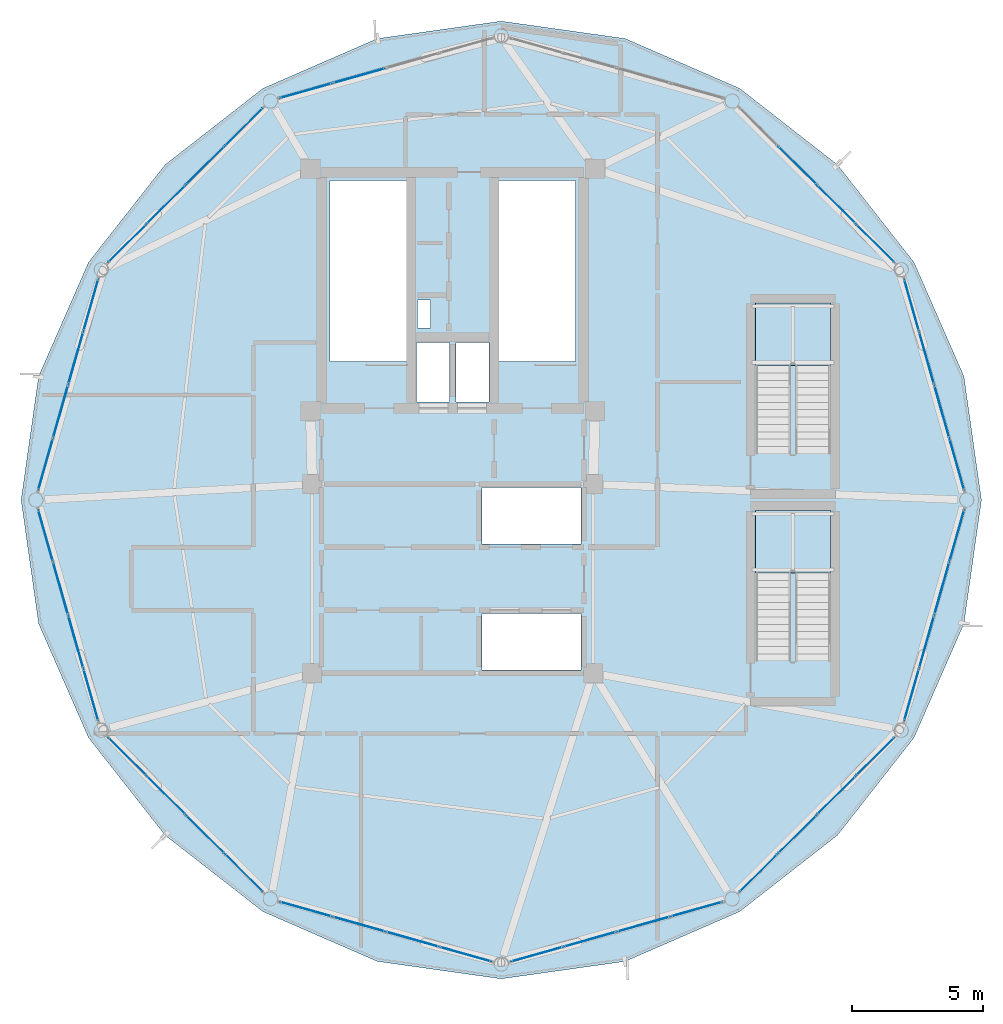
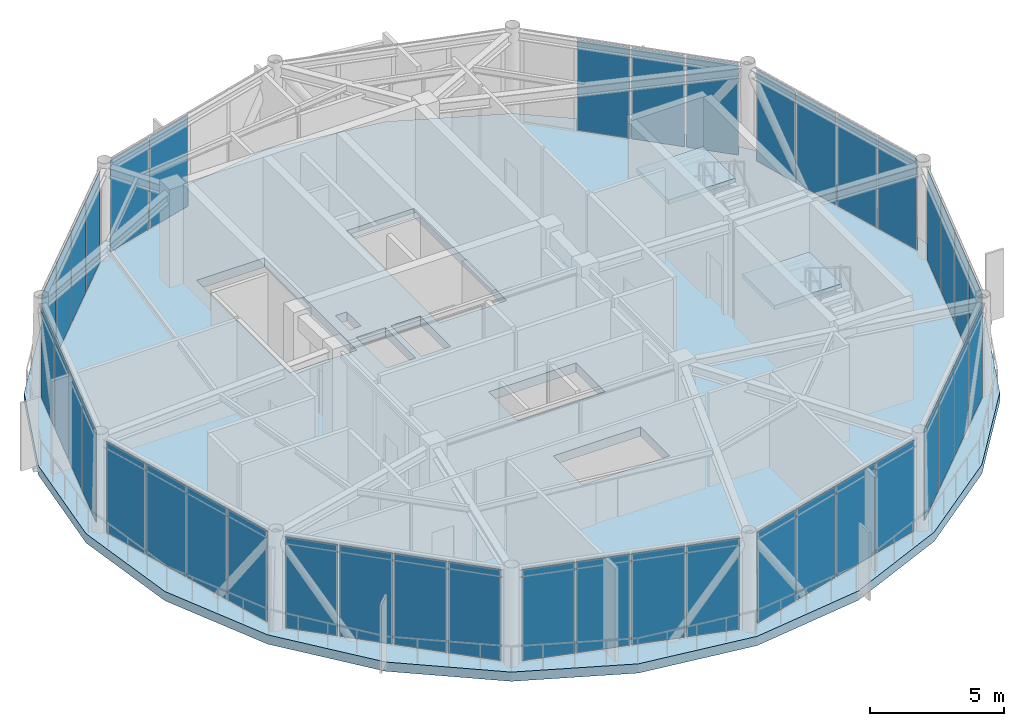
# One storey, part 20 of 26: 41 plates, 3 slabs, 13 elements without a shape of their own.
"""IFC4 building model written with IfcOpenShell, lengths in metres."""

from ifc_helpers import new_model, si_unit, direction, frame, origin, origin_2d, place, context, subcontext, project, spatial, polyline, rectangle, outline, extrude, source, transform, mapped, material, layer, layer_set, type_object, type_shapes, element, aggregate, save


model = new_model("IFC4")

# Units and contexts
model_context = context("Model", 3, precision=1e-05, world=origin(), true_north=direction((0.0, 1.0)))
body_context = subcontext(model_context, "Body", "Model", "MODEL_VIEW")
ifc_project = project(units=[si_unit("LENGTHUNIT", "METRE"), si_unit("AREAUNIT", "SQUARE_METRE"), si_unit("VOLUMEUNIT", "CUBIC_METRE"), si_unit("PLANEANGLEUNIT", "RADIAN"), si_unit("MASSUNIT", "GRAM", prefix="KILO")], contexts=[model_context])

# Site, building, storey
site_placement = place(None, origin())
site = spatial("IfcSite", under=ifc_project, at=site_placement, CompositionType="ELEMENT")
building_placement = place(site_placement, origin())
building = spatial("IfcBuilding", under=site, at=building_placement, Name="Varnakorn Sky Granary", CompositionType="ELEMENT")
storey_placement = place(building_placement, frame((0.0, 0.0, 289.5)))
storey = spatial("IfcBuildingStorey", under=building, at=storey_placement, Name="L74", CompositionType="ELEMENT", Elevation=289.5)

# Stair, slab
ifc_material_1 = material(Name="Concrete C40/50", Category="concrete")
stair_type = type_object("IfcStairType", Name="ST-CRWN-ASSEMBLY", PredefinedType="HALF_TURN_STAIR", material=ifc_material_1)
stair_1_placement = place(storey_placement, origin())
stair_1 = element("IfcStair", 1, at=stair_1_placement, inside=storey, type_object=stair_type, Name="L74 Crown North Exit Stair ST-C1", PredefinedType="HALF_TURN_STAIR")
ifc_layer_1 = layer(ifc_material_1, 0.199951171875, Name="Concrete C40/50")
ifc_layer_set_1 = layer_set([ifc_layer_1], Name="Concrete C40/50")
slab_type_1 = type_object("IfcSlabType", Name="ST-CRWN-LAND", PredefinedType="LANDING", material=ifc_layer_set_1)
slab_1_placement = place(storey_placement, frame((0.0, 0.0, 2.050048828125)))
slab_1 = element("IfcSlab", 2, at=slab_1_placement, type_object=slab_type_1, Name="ST-C1 landing 1", PredefinedType="LANDING", context=body_context, shape_type="SweptSolid", body=[
    extrude(outline(polyline([(17.39990234375, 5.1201171875), (17.39990234375, 7.5), (14.530029296875, 7.5), (14.530029296875, 5.1201171875), (17.39990234375, 5.1201171875)])), origin(), (0.0, 0.0, 1.0), 0.199951171875),
])
aggregate(stair_1, [slab_1])

stair_2_placement = place(storey_placement, origin())
stair_2 = element("IfcStair", 3, at=stair_2_placement, inside=storey, type_object=stair_type, Name="L74 Crown South Exit Stair ST-C2", PredefinedType="HALF_TURN_STAIR")
slab_2_placement = place(storey_placement, frame((0.0, 0.0, 2.050048828125)))
slab_2 = element("IfcSlab", 4, at=slab_2_placement, type_object=slab_type_1, Name="ST-C2 landing 1", PredefinedType="LANDING", context=body_context, shape_type="SweptSolid", body=[
    extrude(outline(polyline([(17.39990234375, -2.780029296875), (17.39990234375, -0.39990234375), (14.530029296875, -0.39990234375), (14.530029296875, -2.780029296875), (17.39990234375, -2.780029296875)])), origin(), (0.0, 0.0, 1.0), 0.199951171875),
])
aggregate(stair_2, [slab_2])

# Slab
ifc_material_2 = material(Name="Concrete C60/75", Category="concrete")
ifc_layer_2 = layer(ifc_material_2, 0.419921875, Name="Concrete C60/75")
ifc_layer_set_2 = layer_set([ifc_layer_2], Name="Concrete C60/75")
slab_type_2 = type_object("IfcSlabType", Name="ST-SL-XFER-420", PredefinedType="FLOOR", material=ifc_layer_set_2)
slab_3_placement = place(storey_placement, frame((0.0, 0.0, -0.419921875)))
element("IfcSlab", 5, at=slab_3_placement, inside=storey, type_object=slab_type_2, Name="Level L74 Structural Floor Slab", PredefinedType="FLOOR", context=body_context, shape_type="SweptSolid", body=[
    extrude(outline(polyline([(23.14990234375, 0.0), (22.48291015625, 4.7119140625), (20.581298828125, 9.0576171875), (17.662841796875, 12.77734375), (13.9326171875, 15.68798828125), (9.57470703125, 17.584716796875), (4.85009765625, 18.25), (0.125244140625, 17.584716796875), (-4.232421875, 15.68798828125), (-7.962890625, 12.77734375), (-10.88134765625, 9.0576171875), (-12.782958984375, 4.7119140625), (-13.449951171875, 0.0), (-12.782958984375, -4.7119140625), (-10.88134765625, -9.0576171875), (-7.962890625, -12.77734375), (-4.232421875, -15.68798828125), (0.125244140625, -17.584716796875), (4.85009765625, -18.25), (9.57470703125, -17.584716796875), (13.9326171875, -15.68798828125), (17.662841796875, -12.77734375), (20.581298828125, -9.0576171875), (22.48291015625, -4.7119140625), (23.14990234375, 0.0)]), holes=[polyline([(1.239990234375, 5.27490234375), (1.239990234375, 12.179931640625), (-1.669921875, 12.179931640625), (-1.669921875, 5.27490234375), (1.239990234375, 5.27490234375)]), polyline([(7.679931640625, 5.27490234375), (7.679931640625, 12.179931640625), (4.77001953125, 12.179931640625), (4.77001953125, 5.27490234375), (7.679931640625, 5.27490234375)]), polyline([(1.659912109375, 6.550048828125), (2.14990234375, 6.550048828125), (2.14990234375, 7.6201171875), (1.659912109375, 7.6201171875), (1.659912109375, 6.550048828125)]), polyline([(1.6201171875, 3.739990234375), (2.8798828125, 3.739990234375), (2.8798828125, 6.010009765625), (1.6201171875, 6.010009765625), (1.6201171875, 3.739990234375)]), polyline([(3.1201171875, 3.739990234375), (4.3798828125, 3.739990234375), (4.3798828125, 6.010009765625), (3.1201171875, 6.010009765625), (3.1201171875, 3.739990234375)]), polyline([(4.1201171875, -1.679931640625), (7.8798828125, -1.679931640625), (7.8798828125, 0.47998046875), (4.1201171875, 0.47998046875), (4.1201171875, -1.679931640625)]), polyline([(4.1201171875, -6.47998046875), (7.8798828125, -6.47998046875), (7.8798828125, -4.320068359375), (4.1201171875, -4.320068359375), (4.1201171875, -6.47998046875)])]), origin(), (0.0, 0.0, 1.0), 0.419921875),
])

# Curtain wall, plates
ifc_material_3 = material(Name="Anodised Bronze Aluminium Alloy 6063-T6", Category="aluminium")
ifc_layer_3 = layer(ifc_material_3, 0.159912109375, Name="Anodised Bronze Aluminium Alloy 6063-T6")
ifc_layer_set_3 = layer_set([ifc_layer_3], Name="Anodised Bronze Aluminium Alloy 6063-T6")
curtain_wall_type = type_object("IfcCurtainWallType", Name="CW-OFF-1", PredefinedType="USERDEFINED", material=ifc_layer_set_3)
curtain_wall_1_placement = place(storey_placement, origin())
curtain_wall_1 = element("IfcCurtainWall", 6, at=curtain_wall_1_placement, inside=storey, type_object=curtain_wall_type, Name="Unitised Curtain Wall CW6 CW-L74-B01", ObjectType="CURTAIN WALL", PredefinedType="USERDEFINED")
ifc_material_4 = material(Name="Opaque Insulated Aluminium Shadow-Box Unit", Category="aluminium")
ifc_layer_4 = layer(ifc_material_4, 0.02392578125, Name="Opaque Insulated Aluminium Shadow-Box Unit")
ifc_layer_set_4 = layer_set([ifc_layer_4], Name="Opaque Insulated Aluminium Shadow-Box Unit")
plate_type = type_object("IfcPlateType", Name="CW-OFF-1-PNL", PredefinedType="CURTAIN_PANEL")
shared_shape_1 = source(origin(), body_context, "Body", "SweptSolid", [
    extrude(rectangle(XDim=2.01513671875, YDim=0.02392578125, at=origin_2d()), origin(), (0.0, 0.0, 1.0), 4.1298828125),
])
plate_1_placement = place(storey_placement, frame((20.490966796875, 7.424072265625, 0.06494140625), z_axis=(0.0, 0.0, 1.0), x_axis=(0.273270495734, -0.961937230884, 0.0)))
plate_1 = element("IfcPlate", 7, at=plate_1_placement, type_object=plate_type, material=ifc_layer_set_4, Name="CW6 opaque insulated shadow-box unit 1.1", PredefinedType="CURTAIN_PANEL", context=body_context, shape_type="MappedRepresentation", body=[
    mapped(shared_shape_1, transform((0.0, 0.0, 0.0), x_axis=(1.0, 0.0, 0.0), y_axis=(0.0, 1.0, 0.0), z_axis=(0.0, 0.0, 1.0), scale=1.0)),
])
ifc_material_5 = material(Name="Low-E Tinted Laminated Glass", Category="glass")
ifc_layer_5 = layer(ifc_material_5, 0.02392578125, Name="Low-E Tinted Laminated Glass")
ifc_layer_set_5 = layer_set([ifc_layer_5], Name="Low-E Tinted Laminated Glass")
plate_2_placement = place(storey_placement, frame((22.214111328125, 1.3583984375, 0.06494140625), z_axis=(0.0, 0.0, 1.0), x_axis=(0.273270495734, -0.961937230884, 0.0)))
plate_2 = element("IfcPlate", 8, at=plate_2_placement, type_object=plate_type, material=ifc_layer_set_5, Name="CW6 vision glazing unit 4.1", PredefinedType="CURTAIN_PANEL", context=body_context, shape_type="MappedRepresentation", body=[
    mapped(shared_shape_1, transform((0.0, 0.0, 0.0), x_axis=(1.0, 0.0, 0.0), y_axis=(0.0, 1.0, 0.0), z_axis=(0.0, 0.0, 1.0), scale=1.0)),
])

curtain_wall_2_placement = place(storey_placement, origin())
curtain_wall_2 = element("IfcCurtainWall", 9, at=curtain_wall_2_placement, inside=storey, type_object=curtain_wall_type, Name="Unitised Curtain Wall CW6 CW-L74-B06", ObjectType="CURTAIN WALL", PredefinedType="USERDEFINED")
plate_3_placement = place(storey_placement, frame((-12.51416015625, 1.3583984375, 0.06494140625), z_axis=(0.0, 0.0, 1.0), x_axis=(0.273270495734, 0.961937230884, 0.0)))
plate_3 = element("IfcPlate", 10, at=plate_3_placement, type_object=plate_type, material=ifc_layer_set_5, Name="CW6 vision glazing unit 1.1", PredefinedType="CURTAIN_PANEL", context=body_context, shape_type="MappedRepresentation", body=[
    mapped(shared_shape_1, transform((0.0, 0.0, 0.0), x_axis=(1.0, 0.0, 0.0), y_axis=(0.0, 1.0, 0.0), z_axis=(0.0, 0.0, 1.0), scale=1.0)),
])
plate_4_placement = place(storey_placement, frame((-10.791015625, 7.424072265625, 0.06494140625), z_axis=(0.0, 0.0, 1.0), x_axis=(0.273270495734, 0.961937230884, 0.0)))
plate_4 = element("IfcPlate", 11, at=plate_4_placement, type_object=plate_type, material=ifc_layer_set_4, Name="CW6 opaque insulated shadow-box unit 4.1", PredefinedType="CURTAIN_PANEL", context=body_context, shape_type="MappedRepresentation", body=[
    mapped(shared_shape_1, transform((0.0, 0.0, 0.0), x_axis=(1.0, 0.0, 0.0), y_axis=(0.0, 1.0, 0.0), z_axis=(0.0, 0.0, 1.0), scale=1.0)),
])

curtain_wall_3_placement = place(storey_placement, origin())
curtain_wall_3 = element("IfcCurtainWall", 12, at=curtain_wall_3_placement, inside=storey, type_object=curtain_wall_type, Name="Unitised Curtain Wall CW6 CW-L74-B07", ObjectType="CURTAIN WALL", PredefinedType="USERDEFINED")
plate_5_placement = place(storey_placement, frame((-10.791015625, -7.424072265625, 0.06494140625), z_axis=(0.0, 0.0, 1.0), x_axis=(-0.273270495734, 0.961937230884, 0.0)))
plate_5 = element("IfcPlate", 13, at=plate_5_placement, type_object=plate_type, material=ifc_layer_set_4, Name="CW6 opaque insulated shadow-box unit 1.1", PredefinedType="CURTAIN_PANEL", context=body_context, shape_type="MappedRepresentation", body=[
    mapped(shared_shape_1, transform((0.0, 0.0, 0.0), x_axis=(1.0, 0.0, 0.0), y_axis=(0.0, 1.0, 0.0), z_axis=(0.0, 0.0, 1.0), scale=1.0)),
])
plate_6_placement = place(storey_placement, frame((-12.51416015625, -1.3583984375, 0.06494140625), z_axis=(0.0, 0.0, 1.0), x_axis=(-0.273270495734, 0.961937230884, 0.0)))
plate_6 = element("IfcPlate", 14, at=plate_6_placement, type_object=plate_type, material=ifc_layer_set_5, Name="CW6 vision glazing unit 4.1", PredefinedType="CURTAIN_PANEL", context=body_context, shape_type="MappedRepresentation", body=[
    mapped(shared_shape_1, transform((0.0, 0.0, 0.0), x_axis=(1.0, 0.0, 0.0), y_axis=(0.0, 1.0, 0.0), z_axis=(0.0, 0.0, 1.0), scale=1.0)),
])

curtain_wall_4_placement = place(storey_placement, origin())
curtain_wall_4 = element("IfcCurtainWall", 15, at=curtain_wall_4_placement, inside=storey, type_object=curtain_wall_type, Name="Unitised Curtain Wall CW6 CW-L74-B12", ObjectType="CURTAIN WALL", PredefinedType="USERDEFINED")
plate_7_placement = place(storey_placement, frame((22.214111328125, -1.3583984375, 0.06494140625), z_axis=(0.0, 0.0, 1.0), x_axis=(-0.273270495734, -0.961937230884, 0.0)))
plate_7 = element("IfcPlate", 16, at=plate_7_placement, type_object=plate_type, material=ifc_layer_set_5, Name="CW6 vision glazing unit 1.1", PredefinedType="CURTAIN_PANEL", context=body_context, shape_type="MappedRepresentation", body=[
    mapped(shared_shape_1, transform((0.0, 0.0, 0.0), x_axis=(1.0, 0.0, 0.0), y_axis=(0.0, 1.0, 0.0), z_axis=(0.0, 0.0, 1.0), scale=1.0)),
])
plate_8_placement = place(storey_placement, frame((20.490966796875, -7.424072265625, 0.06494140625), z_axis=(0.0, 0.0, 1.0), x_axis=(-0.273270495734, -0.961937230884, 0.0)))
plate_8 = element("IfcPlate", 17, at=plate_8_placement, type_object=plate_type, material=ifc_layer_set_4, Name="CW6 opaque insulated shadow-box unit 4.1", PredefinedType="CURTAIN_PANEL", context=body_context, shape_type="MappedRepresentation", body=[
    mapped(shared_shape_1, transform((0.0, 0.0, 0.0), x_axis=(1.0, 0.0, 0.0), y_axis=(0.0, 1.0, 0.0), z_axis=(0.0, 0.0, 1.0), scale=1.0)),
])

# Plate
shared_shape_2 = source(origin(), body_context, "Body", "SweptSolid", [
    extrude(rectangle(XDim=2.0478515625, YDim=0.02392578125, at=origin_2d()), origin(), (0.0, 0.0, 1.0), 4.1298828125),
])
plate_9_placement = place(storey_placement, frame((21.063720703125, 5.407470703125, 0.06494140625), z_axis=(0.0, 0.0, 1.0), x_axis=(0.273270495734, -0.961937230884, 0.0)))
plate_9 = element("IfcPlate", 18, at=plate_9_placement, type_object=plate_type, material=ifc_layer_set_4, Name="CW6 opaque insulated shadow-box unit 2.1", PredefinedType="CURTAIN_PANEL", context=body_context, shape_type="MappedRepresentation", body=[
    mapped(shared_shape_2, transform((0.0, 0.0, 0.0), x_axis=(1.0, 0.0, 0.0), y_axis=(0.0, 1.0, 0.0), z_axis=(0.0, 0.0, 1.0), scale=1.0)),
])

plate_10_placement = place(storey_placement, frame((21.64111328125, 3.375, 0.06494140625), z_axis=(0.0, 0.0, 1.0), x_axis=(0.273270495734, -0.961937230884, 0.0)))
plate_10 = element("IfcPlate", 19, at=plate_10_placement, type_object=plate_type, material=ifc_layer_set_5, Name="CW6 vision glazing unit 3.1", PredefinedType="CURTAIN_PANEL", context=body_context, shape_type="MappedRepresentation", body=[
    mapped(shared_shape_2, transform((0.0, 0.0, 0.0), x_axis=(1.0, 0.0, 0.0), y_axis=(0.0, 1.0, 0.0), z_axis=(0.0, 0.0, 1.0), scale=1.0)),
])

aggregate(curtain_wall_1, [plate_1, plate_9, plate_10, plate_2])

plate_11_placement = place(storey_placement, frame((-11.941162109375, 3.375, 0.06494140625), z_axis=(0.0, 0.0, 1.0), x_axis=(0.273270495734, 0.961937230884, 0.0)))
plate_11 = element("IfcPlate", 20, at=plate_11_placement, type_object=plate_type, material=ifc_layer_set_5, Name="CW6 vision glazing unit 2.1", PredefinedType="CURTAIN_PANEL", context=body_context, shape_type="MappedRepresentation", body=[
    mapped(shared_shape_2, transform((0.0, 0.0, 0.0), x_axis=(1.0, 0.0, 0.0), y_axis=(0.0, 1.0, 0.0), z_axis=(0.0, 0.0, 1.0), scale=1.0)),
])

plate_12_placement = place(storey_placement, frame((-11.36376953125, 5.407470703125, 0.06494140625), z_axis=(0.0, 0.0, 1.0), x_axis=(0.273270495734, 0.961937230884, 0.0)))
plate_12 = element("IfcPlate", 21, at=plate_12_placement, type_object=plate_type, material=ifc_layer_set_4, Name="CW6 opaque insulated shadow-box unit 3.1", PredefinedType="CURTAIN_PANEL", context=body_context, shape_type="MappedRepresentation", body=[
    mapped(shared_shape_2, transform((0.0, 0.0, 0.0), x_axis=(1.0, 0.0, 0.0), y_axis=(0.0, 1.0, 0.0), z_axis=(0.0, 0.0, 1.0), scale=1.0)),
])

aggregate(curtain_wall_2, [plate_3, plate_11, plate_12, plate_4])

plate_13_placement = place(storey_placement, frame((-11.36376953125, -5.407470703125, 0.06494140625), z_axis=(0.0, 0.0, 1.0), x_axis=(-0.273270495734, 0.961937230884, 0.0)))
plate_13 = element("IfcPlate", 22, at=plate_13_placement, type_object=plate_type, material=ifc_layer_set_4, Name="CW6 opaque insulated shadow-box unit 2.1", PredefinedType="CURTAIN_PANEL", context=body_context, shape_type="MappedRepresentation", body=[
    mapped(shared_shape_2, transform((0.0, 0.0, 0.0), x_axis=(1.0, 0.0, 0.0), y_axis=(0.0, 1.0, 0.0), z_axis=(0.0, 0.0, 1.0), scale=1.0)),
])

plate_14_placement = place(storey_placement, frame((-11.941162109375, -3.375, 0.06494140625), z_axis=(0.0, 0.0, 1.0), x_axis=(-0.273270495734, 0.961937230884, 0.0)))
plate_14 = element("IfcPlate", 23, at=plate_14_placement, type_object=plate_type, material=ifc_layer_set_5, Name="CW6 vision glazing unit 3.1", PredefinedType="CURTAIN_PANEL", context=body_context, shape_type="MappedRepresentation", body=[
    mapped(shared_shape_2, transform((0.0, 0.0, 0.0), x_axis=(1.0, 0.0, 0.0), y_axis=(0.0, 1.0, 0.0), z_axis=(0.0, 0.0, 1.0), scale=1.0)),
])

aggregate(curtain_wall_3, [plate_5, plate_13, plate_14, plate_6])

plate_15_placement = place(storey_placement, frame((21.64111328125, -3.375, 0.06494140625), z_axis=(0.0, 0.0, 1.0), x_axis=(-0.273270495734, -0.961937230884, 0.0)))
plate_15 = element("IfcPlate", 24, at=plate_15_placement, type_object=plate_type, material=ifc_layer_set_5, Name="CW6 vision glazing unit 2.1", PredefinedType="CURTAIN_PANEL", context=body_context, shape_type="MappedRepresentation", body=[
    mapped(shared_shape_2, transform((0.0, 0.0, 0.0), x_axis=(1.0, 0.0, 0.0), y_axis=(0.0, 1.0, 0.0), z_axis=(0.0, 0.0, 1.0), scale=1.0)),
])

plate_16_placement = place(storey_placement, frame((21.063720703125, -5.407470703125, 0.06494140625), z_axis=(0.0, 0.0, 1.0), x_axis=(-0.273270495734, -0.961937230884, 0.0)))
plate_16 = element("IfcPlate", 25, at=plate_16_placement, type_object=plate_type, material=ifc_layer_set_4, Name="CW6 opaque insulated shadow-box unit 3.1", PredefinedType="CURTAIN_PANEL", context=body_context, shape_type="MappedRepresentation", body=[
    mapped(shared_shape_2, transform((0.0, 0.0, 0.0), x_axis=(1.0, 0.0, 0.0), y_axis=(0.0, 1.0, 0.0), z_axis=(0.0, 0.0, 1.0), scale=1.0)),
])

aggregate(curtain_wall_4, [plate_7, plate_15, plate_16, plate_8])

# Curtain wall, plate
curtain_wall_5_placement = place(storey_placement, origin())
curtain_wall_5 = element("IfcCurtainWall", 26, at=curtain_wall_5_placement, inside=storey, type_object=curtain_wall_type, Name="Unitised Curtain Wall CW6 CW-L74-B02", ObjectType="CURTAIN WALL", PredefinedType="USERDEFINED")
shared_shape_3 = source(origin(), body_context, "Body", "SweptSolid", [
    extrude(rectangle(XDim=2.009033203125, YDim=0.02392578125, at=origin_2d()), origin(), (0.0, 0.0, 1.0), 4.1298828125),
])
plate_17_placement = place(storey_placement, frame((19.107177734375, 9.77734375, 0.06494140625), z_axis=(0.0, 0.0, 1.0), x_axis=(0.708108889088, -0.706103251086, 0.0)))
plate_17 = element("IfcPlate", 27, at=plate_17_placement, type_object=plate_type, material=ifc_layer_set_4, Name="CW6 opaque insulated shadow-box unit 4.1", PredefinedType="CURTAIN_PANEL", context=body_context, shape_type="MappedRepresentation", body=[
    mapped(shared_shape_3, transform((0.0, 0.0, 0.0), x_axis=(1.0, 0.0, 0.0), y_axis=(0.0, 1.0, 0.0), z_axis=(0.0, 0.0, 1.0), scale=1.0)),
])

# Curtain wall, plates
curtain_wall_6_placement = place(storey_placement, origin())
curtain_wall_6 = element("IfcCurtainWall", 28, at=curtain_wall_6_placement, inside=storey, type_object=curtain_wall_type, Name="Unitised Curtain Wall CW6 CW-L74-B05", ObjectType="CURTAIN WALL", PredefinedType="USERDEFINED")
plate_18_placement = place(storey_placement, frame((-9.4072265625, 9.77734375, 0.06494140625), z_axis=(0.0, 0.0, 1.0), x_axis=(0.708108889088, 0.706103251086, 0.0)))
plate_18 = element("IfcPlate", 29, at=plate_18_placement, type_object=plate_type, material=ifc_layer_set_4, Name="CW6 opaque insulated shadow-box unit 1.1", PredefinedType="CURTAIN_PANEL", context=body_context, shape_type="MappedRepresentation", body=[
    mapped(shared_shape_3, transform((0.0, 0.0, 0.0), x_axis=(1.0, 0.0, 0.0), y_axis=(0.0, 1.0, 0.0), z_axis=(0.0, 0.0, 1.0), scale=1.0)),
])
plate_19_placement = place(storey_placement, frame((-4.955322265625, 14.216796875, 0.06494140625), z_axis=(0.0, 0.0, 1.0), x_axis=(0.708108889088, 0.706103251086, 0.0)))
plate_19 = element("IfcPlate", 30, at=plate_19_placement, type_object=plate_type, material=ifc_layer_set_5, Name="CW6 vision glazing unit 4.1", PredefinedType="CURTAIN_PANEL", context=body_context, shape_type="MappedRepresentation", body=[
    mapped(shared_shape_3, transform((0.0, 0.0, 0.0), x_axis=(1.0, 0.0, 0.0), y_axis=(0.0, 1.0, 0.0), z_axis=(0.0, 0.0, 1.0), scale=1.0)),
])

curtain_wall_7_placement = place(storey_placement, origin())
curtain_wall_7 = element("IfcCurtainWall", 31, at=curtain_wall_7_placement, inside=storey, type_object=curtain_wall_type, Name="Unitised Curtain Wall CW6 CW-L74-B08", ObjectType="CURTAIN WALL", PredefinedType="USERDEFINED")
plate_20_placement = place(storey_placement, frame((-4.955322265625, -14.216796875, 0.06494140625), z_axis=(0.0, 0.0, 1.0), x_axis=(-0.708108889088, 0.706103251086, 0.0)))
plate_20 = element("IfcPlate", 32, at=plate_20_placement, type_object=plate_type, material=ifc_layer_set_5, Name="CW6 vision glazing unit 1.1", PredefinedType="CURTAIN_PANEL", context=body_context, shape_type="MappedRepresentation", body=[
    mapped(shared_shape_3, transform((0.0, 0.0, 0.0), x_axis=(1.0, 0.0, 0.0), y_axis=(0.0, 1.0, 0.0), z_axis=(0.0, 0.0, 1.0), scale=1.0)),
])
plate_21_placement = place(storey_placement, frame((-9.4072265625, -9.77734375, 0.06494140625), z_axis=(0.0, 0.0, 1.0), x_axis=(-0.708108889088, 0.706103251086, 0.0)))
plate_21 = element("IfcPlate", 33, at=plate_21_placement, type_object=plate_type, material=ifc_layer_set_4, Name="CW6 opaque insulated shadow-box unit 4.1", PredefinedType="CURTAIN_PANEL", context=body_context, shape_type="MappedRepresentation", body=[
    mapped(shared_shape_3, transform((0.0, 0.0, 0.0), x_axis=(1.0, 0.0, 0.0), y_axis=(0.0, 1.0, 0.0), z_axis=(0.0, 0.0, 1.0), scale=1.0)),
])

curtain_wall_8_placement = place(storey_placement, origin())
curtain_wall_8 = element("IfcCurtainWall", 34, at=curtain_wall_8_placement, inside=storey, type_object=curtain_wall_type, Name="Unitised Curtain Wall CW6 CW-L74-B11", ObjectType="CURTAIN WALL", PredefinedType="USERDEFINED")
plate_22_placement = place(storey_placement, frame((19.107177734375, -9.77734375, 0.06494140625), z_axis=(0.0, 0.0, 1.0), x_axis=(-0.708108889088, -0.706103251086, 0.0)))
plate_22 = element("IfcPlate", 35, at=plate_22_placement, type_object=plate_type, material=ifc_layer_set_4, Name="CW6 opaque insulated shadow-box unit 1.1", PredefinedType="CURTAIN_PANEL", context=body_context, shape_type="MappedRepresentation", body=[
    mapped(shared_shape_3, transform((0.0, 0.0, 0.0), x_axis=(1.0, 0.0, 0.0), y_axis=(0.0, 1.0, 0.0), z_axis=(0.0, 0.0, 1.0), scale=1.0)),
])
plate_23_placement = place(storey_placement, frame((14.6552734375, -14.216796875, 0.06494140625), z_axis=(0.0, 0.0, 1.0), x_axis=(-0.708108889088, -0.706103251086, 0.0)))
plate_23 = element("IfcPlate", 36, at=plate_23_placement, type_object=plate_type, material=ifc_layer_set_5, Name="CW6 vision glazing unit 4.1", PredefinedType="CURTAIN_PANEL", context=body_context, shape_type="MappedRepresentation", body=[
    mapped(shared_shape_3, transform((0.0, 0.0, 0.0), x_axis=(1.0, 0.0, 0.0), y_axis=(0.0, 1.0, 0.0), z_axis=(0.0, 0.0, 1.0), scale=1.0)),
])

# Plate
shared_shape_4 = source(origin(), body_context, "Body", "SweptSolid", [
    extrude(rectangle(XDim=2.04150390625, YDim=0.02392578125, at=origin_2d()), origin(), (0.0, 0.0, 1.0), 4.1298828125),
])
plate_24_placement = place(storey_placement, frame((16.135498046875, 12.74072265625, 0.06494140625), z_axis=(0.0, 0.0, 1.0), x_axis=(0.708108889088, -0.706103251086, 0.0)))
plate_24 = element("IfcPlate", 37, at=plate_24_placement, type_object=plate_type, material=ifc_layer_set_5, Name="CW6 vision glazing unit 2.1", PredefinedType="CURTAIN_PANEL", context=body_context, shape_type="MappedRepresentation", body=[
    mapped(shared_shape_4, transform((0.0, 0.0, 0.0), x_axis=(1.0, 0.0, 0.0), y_axis=(0.0, 1.0, 0.0), z_axis=(0.0, 0.0, 1.0), scale=1.0)),
])

plate_25_placement = place(storey_placement, frame((17.627197265625, 11.25341796875, 0.06494140625), z_axis=(0.0, 0.0, 1.0), x_axis=(0.708108889088, -0.706103251086, 0.0)))
plate_25 = element("IfcPlate", 38, at=plate_25_placement, type_object=plate_type, material=ifc_layer_set_4, Name="CW6 opaque insulated shadow-box unit 3.1", PredefinedType="CURTAIN_PANEL", context=body_context, shape_type="MappedRepresentation", body=[
    mapped(shared_shape_4, transform((0.0, 0.0, 0.0), x_axis=(1.0, 0.0, 0.0), y_axis=(0.0, 1.0, 0.0), z_axis=(0.0, 0.0, 1.0), scale=1.0)),
])

aggregate(curtain_wall_5, [plate_24, plate_25, plate_17])

plate_26_placement = place(storey_placement, frame((-7.927001953125, 11.25341796875, 0.06494140625), z_axis=(0.0, 0.0, 1.0), x_axis=(0.708108889088, 0.706103251086, 0.0)))
plate_26 = element("IfcPlate", 39, at=plate_26_placement, type_object=plate_type, material=ifc_layer_set_4, Name="CW6 opaque insulated shadow-box unit 2.1", PredefinedType="CURTAIN_PANEL", context=body_context, shape_type="MappedRepresentation", body=[
    mapped(shared_shape_4, transform((0.0, 0.0, 0.0), x_axis=(1.0, 0.0, 0.0), y_axis=(0.0, 1.0, 0.0), z_axis=(0.0, 0.0, 1.0), scale=1.0)),
])

plate_27_placement = place(storey_placement, frame((-6.435302734375, 12.74072265625, 0.06494140625), z_axis=(0.0, 0.0, 1.0), x_axis=(0.708108889088, 0.706103251086, 0.0)))
plate_27 = element("IfcPlate", 40, at=plate_27_placement, type_object=plate_type, material=ifc_layer_set_5, Name="CW6 vision glazing unit 3.1", PredefinedType="CURTAIN_PANEL", context=body_context, shape_type="MappedRepresentation", body=[
    mapped(shared_shape_4, transform((0.0, 0.0, 0.0), x_axis=(1.0, 0.0, 0.0), y_axis=(0.0, 1.0, 0.0), z_axis=(0.0, 0.0, 1.0), scale=1.0)),
])

aggregate(curtain_wall_6, [plate_18, plate_26, plate_27, plate_19])

plate_28_placement = place(storey_placement, frame((-6.435302734375, -12.74072265625, 0.06494140625), z_axis=(0.0, 0.0, 1.0), x_axis=(-0.708108889088, 0.706103251086, 0.0)))
plate_28 = element("IfcPlate", 41, at=plate_28_placement, type_object=plate_type, material=ifc_layer_set_5, Name="CW6 vision glazing unit 2.1", PredefinedType="CURTAIN_PANEL", context=body_context, shape_type="MappedRepresentation", body=[
    mapped(shared_shape_4, transform((0.0, 0.0, 0.0), x_axis=(1.0, 0.0, 0.0), y_axis=(0.0, 1.0, 0.0), z_axis=(0.0, 0.0, 1.0), scale=1.0)),
])

plate_29_placement = place(storey_placement, frame((-7.927001953125, -11.25341796875, 0.06494140625), z_axis=(0.0, 0.0, 1.0), x_axis=(-0.708108889088, 0.706103251086, 0.0)))
plate_29 = element("IfcPlate", 42, at=plate_29_placement, type_object=plate_type, material=ifc_layer_set_4, Name="CW6 opaque insulated shadow-box unit 3.1", PredefinedType="CURTAIN_PANEL", context=body_context, shape_type="MappedRepresentation", body=[
    mapped(shared_shape_4, transform((0.0, 0.0, 0.0), x_axis=(1.0, 0.0, 0.0), y_axis=(0.0, 1.0, 0.0), z_axis=(0.0, 0.0, 1.0), scale=1.0)),
])

aggregate(curtain_wall_7, [plate_20, plate_28, plate_29, plate_21])

plate_30_placement = place(storey_placement, frame((17.627197265625, -11.25341796875, 0.06494140625), z_axis=(0.0, 0.0, 1.0), x_axis=(-0.708108889088, -0.706103251086, 0.0)))
plate_30 = element("IfcPlate", 43, at=plate_30_placement, type_object=plate_type, material=ifc_layer_set_4, Name="CW6 opaque insulated shadow-box unit 2.1", PredefinedType="CURTAIN_PANEL", context=body_context, shape_type="MappedRepresentation", body=[
    mapped(shared_shape_4, transform((0.0, 0.0, 0.0), x_axis=(1.0, 0.0, 0.0), y_axis=(0.0, 1.0, 0.0), z_axis=(0.0, 0.0, 1.0), scale=1.0)),
])

plate_31_placement = place(storey_placement, frame((16.135498046875, -12.74072265625, 0.06494140625), z_axis=(0.0, 0.0, 1.0), x_axis=(-0.708108889088, -0.706103251086, 0.0)))
plate_31 = element("IfcPlate", 44, at=plate_31_placement, type_object=plate_type, material=ifc_layer_set_5, Name="CW6 vision glazing unit 3.1", PredefinedType="CURTAIN_PANEL", context=body_context, shape_type="MappedRepresentation", body=[
    mapped(shared_shape_4, transform((0.0, 0.0, 0.0), x_axis=(1.0, 0.0, 0.0), y_axis=(0.0, 1.0, 0.0), z_axis=(0.0, 0.0, 1.0), scale=1.0)),
])

aggregate(curtain_wall_8, [plate_22, plate_30, plate_31, plate_23])

# Curtain wall, plate
curtain_wall_9_placement = place(storey_placement, origin())
curtain_wall_9 = element("IfcCurtainWall", 45, at=curtain_wall_9_placement, inside=storey, type_object=curtain_wall_type, Name="Unitised Curtain Wall CW6 CW-L74-B04", ObjectType="CURTAIN WALL", PredefinedType="USERDEFINED")
shared_shape_5 = source(origin(), body_context, "Body", "SweptSolid", [
    extrude(rectangle(XDim=2.020751953125, YDim=0.02392578125, at=origin_2d()), origin(), (0.0, 0.0, 1.0), 4.1298828125),
])
plate_32_placement = place(storey_placement, frame((-2.595947265625, 15.596435546875, 0.06494140625), z_axis=(0.0, 0.0, 1.0), x_axis=(0.962331624488, 0.271878363446, 0.0)))
plate_32 = element("IfcPlate", 46, at=plate_32_placement, type_object=plate_type, material=ifc_layer_set_5, Name="CW6 vision glazing unit 1.1", PredefinedType="CURTAIN_PANEL", context=body_context, shape_type="MappedRepresentation", body=[
    mapped(shared_shape_5, transform((0.0, 0.0, 0.0), x_axis=(1.0, 0.0, 0.0), y_axis=(0.0, 1.0, 0.0), z_axis=(0.0, 0.0, 1.0), scale=1.0)),
])

# Curtain wall, plates
curtain_wall_10_placement = place(storey_placement, origin())
curtain_wall_10 = element("IfcCurtainWall", 47, at=curtain_wall_10_placement, inside=storey, type_object=curtain_wall_type, Name="Unitised Curtain Wall CW6 CW-L74-B09", ObjectType="CURTAIN WALL", PredefinedType="USERDEFINED")
plate_33_placement = place(storey_placement, frame((3.48828125, -17.3154296875, 0.06494140625), z_axis=(0.0, 0.0, 1.0), x_axis=(-0.962331624488, 0.271878363446, 0.0)))
plate_33 = element("IfcPlate", 48, at=plate_33_placement, type_object=plate_type, material=ifc_layer_set_4, Name="CW6 opaque insulated shadow-box unit 1.1", PredefinedType="CURTAIN_PANEL", context=body_context, shape_type="MappedRepresentation", body=[
    mapped(shared_shape_5, transform((0.0, 0.0, 0.0), x_axis=(1.0, 0.0, 0.0), y_axis=(0.0, 1.0, 0.0), z_axis=(0.0, 0.0, 1.0), scale=1.0)),
])
plate_34_placement = place(storey_placement, frame((-2.595947265625, -15.596435546875, 0.06494140625), z_axis=(0.0, 0.0, 1.0), x_axis=(-0.962331624488, 0.271878363446, 0.0)))
plate_34 = element("IfcPlate", 49, at=plate_34_placement, type_object=plate_type, material=ifc_layer_set_5, Name="CW6 vision glazing unit 4.1", PredefinedType="CURTAIN_PANEL", context=body_context, shape_type="MappedRepresentation", body=[
    mapped(shared_shape_5, transform((0.0, 0.0, 0.0), x_axis=(1.0, 0.0, 0.0), y_axis=(0.0, 1.0, 0.0), z_axis=(0.0, 0.0, 1.0), scale=1.0)),
])

curtain_wall_11_placement = place(storey_placement, origin())
curtain_wall_11 = element("IfcCurtainWall", 50, at=curtain_wall_11_placement, inside=storey, type_object=curtain_wall_type, Name="Unitised Curtain Wall CW6 CW-L74-B10", ObjectType="CURTAIN WALL", PredefinedType="USERDEFINED")
plate_35_placement = place(storey_placement, frame((12.2958984375, -15.596435546875, 0.06494140625), z_axis=(0.0, 0.0, 1.0), x_axis=(-0.962331624488, -0.271878363446, 0.0)))
plate_35 = element("IfcPlate", 51, at=plate_35_placement, type_object=plate_type, material=ifc_layer_set_5, Name="CW6 vision glazing unit 1.1", PredefinedType="CURTAIN_PANEL", context=body_context, shape_type="MappedRepresentation", body=[
    mapped(shared_shape_5, transform((0.0, 0.0, 0.0), x_axis=(1.0, 0.0, 0.0), y_axis=(0.0, 1.0, 0.0), z_axis=(0.0, 0.0, 1.0), scale=1.0)),
])
plate_36_placement = place(storey_placement, frame((6.211669921875, -17.3154296875, 0.06494140625), z_axis=(0.0, 0.0, 1.0), x_axis=(-0.962331624488, -0.271878363446, 0.0)))
plate_36 = element("IfcPlate", 52, at=plate_36_placement, type_object=plate_type, material=ifc_layer_set_4, Name="CW6 opaque insulated shadow-box unit 4.1", PredefinedType="CURTAIN_PANEL", context=body_context, shape_type="MappedRepresentation", body=[
    mapped(shared_shape_5, transform((0.0, 0.0, 0.0), x_axis=(1.0, 0.0, 0.0), y_axis=(0.0, 1.0, 0.0), z_axis=(0.0, 0.0, 1.0), scale=1.0)),
])

# Plate
shared_shape_6 = source(origin(), body_context, "Body", "SweptSolid", [
    extrude(rectangle(XDim=2.05322265625, YDim=0.02392578125, at=origin_2d()), origin(), (0.0, 0.0, 1.0), 4.1298828125),
])
type_shapes(plate_type, [shared_shape_1, shared_shape_2, shared_shape_3, shared_shape_4, shared_shape_5, shared_shape_6])
plate_37_placement = place(storey_placement, frame((-0.572998046875, 16.16796875, 0.06494140625), z_axis=(0.0, 0.0, 1.0), x_axis=(0.962331624488, 0.271878363446, 0.0)))
plate_37 = element("IfcPlate", 53, at=plate_37_placement, type_object=plate_type, material=ifc_layer_set_5, Name="CW6 vision glazing unit 2.1", PredefinedType="CURTAIN_PANEL", context=body_context, shape_type="MappedRepresentation", body=[
    mapped(shared_shape_6, transform((0.0, 0.0, 0.0), x_axis=(1.0, 0.0, 0.0), y_axis=(0.0, 1.0, 0.0), z_axis=(0.0, 0.0, 1.0), scale=1.0)),
])

aggregate(curtain_wall_9, [plate_32, plate_37])

plate_38_placement = place(storey_placement, frame((1.465576171875, -16.743896484375, 0.06494140625), z_axis=(0.0, 0.0, 1.0), x_axis=(-0.962331624488, 0.271878363446, 0.0)))
plate_38 = element("IfcPlate", 54, at=plate_38_placement, type_object=plate_type, material=ifc_layer_set_4, Name="CW6 opaque insulated shadow-box unit 2.1", PredefinedType="CURTAIN_PANEL", context=body_context, shape_type="MappedRepresentation", body=[
    mapped(shared_shape_6, transform((0.0, 0.0, 0.0), x_axis=(1.0, 0.0, 0.0), y_axis=(0.0, 1.0, 0.0), z_axis=(0.0, 0.0, 1.0), scale=1.0)),
])

plate_39_placement = place(storey_placement, frame((-0.572998046875, -16.16796875, 0.06494140625), z_axis=(0.0, 0.0, 1.0), x_axis=(-0.962331624488, 0.271878363446, 0.0)))
plate_39 = element("IfcPlate", 55, at=plate_39_placement, type_object=plate_type, material=ifc_layer_set_5, Name="CW6 vision glazing unit 3.1", PredefinedType="CURTAIN_PANEL", context=body_context, shape_type="MappedRepresentation", body=[
    mapped(shared_shape_6, transform((0.0, 0.0, 0.0), x_axis=(1.0, 0.0, 0.0), y_axis=(0.0, 1.0, 0.0), z_axis=(0.0, 0.0, 1.0), scale=1.0)),
])

aggregate(curtain_wall_10, [plate_33, plate_38, plate_39, plate_34])

plate_40_placement = place(storey_placement, frame((10.27294921875, -16.16796875, 0.06494140625), z_axis=(0.0, 0.0, 1.0), x_axis=(-0.962331624488, -0.271878363446, 0.0)))
plate_40 = element("IfcPlate", 56, at=plate_40_placement, type_object=plate_type, material=ifc_layer_set_5, Name="CW6 vision glazing unit 2.1", PredefinedType="CURTAIN_PANEL", context=body_context, shape_type="MappedRepresentation", body=[
    mapped(shared_shape_6, transform((0.0, 0.0, 0.0), x_axis=(1.0, 0.0, 0.0), y_axis=(0.0, 1.0, 0.0), z_axis=(0.0, 0.0, 1.0), scale=1.0)),
])

plate_41_placement = place(storey_placement, frame((8.234375, -16.743896484375, 0.06494140625), z_axis=(0.0, 0.0, 1.0), x_axis=(-0.962331624488, -0.271878363446, 0.0)))
plate_41 = element("IfcPlate", 57, at=plate_41_placement, type_object=plate_type, material=ifc_layer_set_4, Name="CW6 opaque insulated shadow-box unit 3.1", PredefinedType="CURTAIN_PANEL", context=body_context, shape_type="MappedRepresentation", body=[
    mapped(shared_shape_6, transform((0.0, 0.0, 0.0), x_axis=(1.0, 0.0, 0.0), y_axis=(0.0, 1.0, 0.0), z_axis=(0.0, 0.0, 1.0), scale=1.0)),
])

aggregate(curtain_wall_11, [plate_35, plate_40, plate_41, plate_36])

save(model, "model.ifc")
